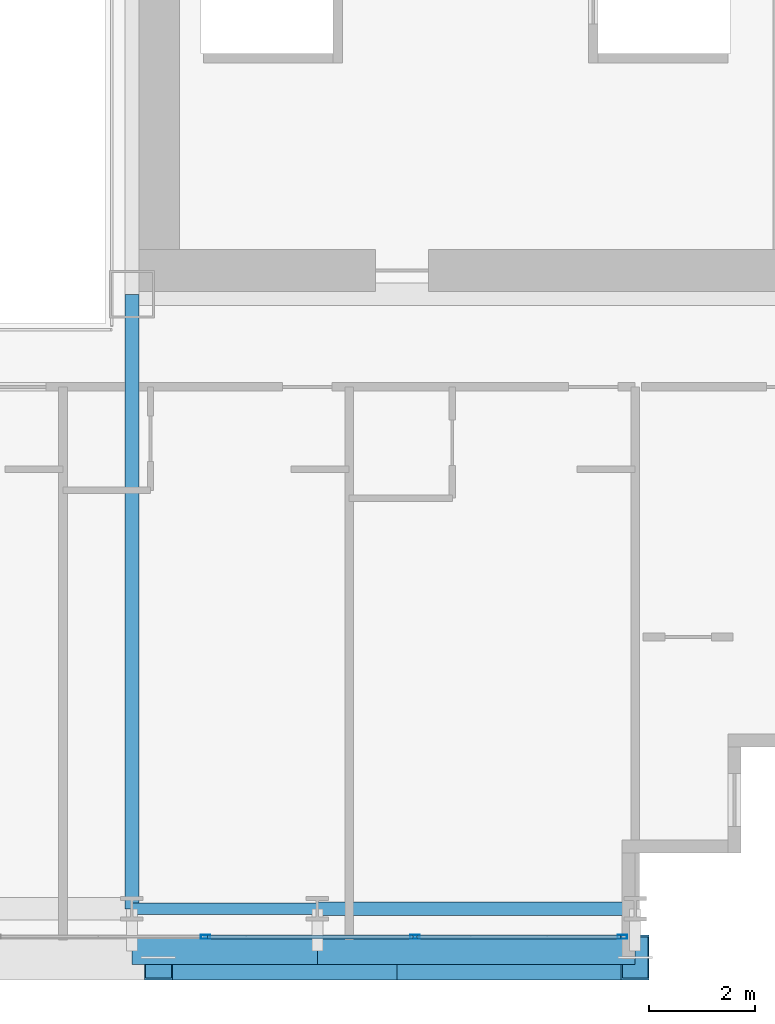
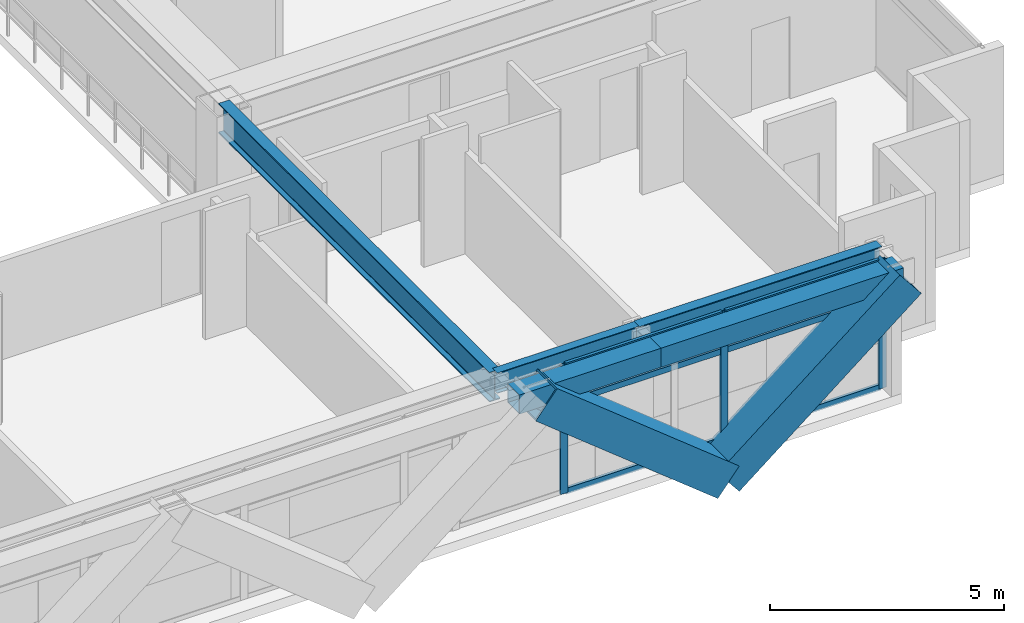
# One storey, part 10 of 38: 11 members, 5 beams, 1 element without a shape of its own.
"""IFC4 building model written with IfcOpenShell, lengths in metres."""

from ifc_helpers import new_model, si_unit, direction, frame, origin, origin_2d, place, context, subcontext, project, spatial, hollow_rectangle, i_section, extrude, source, transform, mapped, material, layer, layer_set, material_profile, profile_set, type_object, element, aggregate, save


model = new_model("IFC4")

# Units and contexts
model_context = context("Model", 3, precision=1e-05, world=origin(), true_north=direction((0.0, 1.0)))
body_context = subcontext(model_context, "Body", "Model", "MODEL_VIEW")
ifc_project = project(units=[si_unit("LENGTHUNIT", "METRE"), si_unit("AREAUNIT", "SQUARE_METRE"), si_unit("VOLUMEUNIT", "CUBIC_METRE"), si_unit("PLANEANGLEUNIT", "RADIAN"), si_unit("MASSUNIT", "GRAM", prefix="KILO")], contexts=[model_context])

# Site, building, storey
site_placement = place(None, origin())
site = spatial("IfcSite", under=ifc_project, at=site_placement, CompositionType="ELEMENT")
building_placement = place(site_placement, origin())
building = spatial("IfcBuilding", under=site, at=building_placement, Name="Ocotamira Hotel", CompositionType="ELEMENT")
storey_placement = place(building_placement, frame((0.0, 0.0, 60.0)))
storey = spatial("IfcBuildingStorey", under=building, at=storey_placement, Name="L14", CompositionType="ELEMENT", Elevation=60.0)

# Beams
ifc_material_1 = material(Name="Steel ASTM A992 Grade 50", Category="steel")
ifc_material_profile_1 = material_profile(ifc_material_1, i_section(OverallWidth=0.256103515625, OverallDepth=0.693115234375, WebThickness=0.014404296875, FlangeThickness=0.023681640625, FilletRadius=0.01611328125, at=origin_2d()), Name="W27X114")
ifc_profile_set_1 = profile_set([ifc_material_profile_1], Name="Steel ASTM A992 Grade 50")
beam_type_1 = type_object("IfcBeamType", Name="BM-PRIM-W27X114", PredefinedType="BEAM", material=ifc_profile_set_1)
shared_shape_1 = source(origin(), body_context, "Body", "SweptSolid", [
    extrude(i_section(OverallWidth=0.256103515625, OverallDepth=0.693115234375, WebThickness=0.014404296875, FlangeThickness=0.023681640625, FilletRadius=0.01611328125, at=origin_2d()), origin(), (0.0, 0.0, 1.0), 6.0),
])
beam_1_placement = place(storey_placement, frame((44.0, 2.949951171875, 3.00341796875), z_axis=(1.0, 0.0, 0.0), x_axis=(0.0, 1.0, 0.0)))
element("IfcBeam", 1, at=beam_1_placement, inside=storey, type_object=beam_type_1, Name="L14 Girder Y2.95 X44-50", PredefinedType="BEAM", context=body_context, shape_type="MappedRepresentation", body=[
    mapped(shared_shape_1, transform((0.0, 0.0, 0.0), scale=1.0)),
])
ifc_material_profile_2 = material_profile(ifc_material_1, i_section(OverallWidth=0.2099609375, OverallDepth=0.537109375, WebThickness=0.010986328125, FlangeThickness=0.017333984375, FilletRadius=0.012939453125, at=origin_2d()), Name="W21X68")
ifc_profile_set_2 = profile_set([ifc_material_profile_2], Name="Steel ASTM A992 Grade 50")
beam_type_2 = type_object("IfcBeamType", Name="BM-SEC-W21X68", PredefinedType="JOIST", material=ifc_profile_set_2)
shared_shape_2 = source(origin(), body_context, "Body", "SweptSolid", [
    extrude(i_section(OverallWidth=0.2099609375, OverallDepth=0.537109375, WebThickness=0.010986328125, FlangeThickness=0.017333984375, FilletRadius=0.012939453125, at=origin_2d()), origin(), (0.0, 0.0, 1.0), 3.5),
])
beam_2_placement = place(storey_placement, frame((40.5, 2.949951171875, 3.08154296875), z_axis=(1.0, 0.0, 0.0), x_axis=(0.0, 1.0, 0.0)))
element("IfcBeam", 2, at=beam_2_placement, inside=storey, type_object=beam_type_2, Name="L14 Girder Y2.95 X40.5-44", PredefinedType="JOIST", context=body_context, shape_type="MappedRepresentation", body=[
    mapped(shared_shape_2, transform((0.0, 0.0, 0.0), scale=1.0)),
])
ifc_material_profile_3 = material_profile(ifc_material_1, i_section(OverallWidth=0.26611328125, OverallDepth=0.779052734375, WebThickness=0.0166015625, FlangeThickness=0.030029296875, FilletRadius=0.01806640625, at=origin_2d()), Name="W30X148")
ifc_profile_set_3 = profile_set([ifc_material_profile_3], Name="Steel ASTM A992 Grade 50")
beam_type_3 = type_object("IfcBeamType", Name="BM-GIRD-W30X148", PredefinedType="BEAM", material=ifc_profile_set_3)
shared_shape_3 = source(origin(), body_context, "Body", "SweptSolid", [
    extrude(i_section(OverallWidth=0.26611328125, OverallDepth=0.779052734375, WebThickness=0.0166015625, FlangeThickness=0.030029296875, FilletRadius=0.01806640625, at=origin_2d()), origin(), (0.0, 0.0, 1.0), 11.60009765625),
])
beam_3_placement = place(storey_placement, frame((40.5, 2.949951171875, 2.96044921875), z_axis=(0.0, 1.0, 0.0), x_axis=(-1.0, 0.0, 0.0)))
element("IfcBeam", 3, at=beam_3_placement, inside=storey, type_object=beam_type_3, Name="L14 Beam X40.5 Y2.95-14.55", PredefinedType="BEAM", context=body_context, shape_type="MappedRepresentation", body=[
    mapped(shared_shape_3, transform((0.0, 0.0, 0.0), scale=1.0)),
])
ifc_material_2 = material(Name="Steel ASTM A500 Grade C", Category="steel")
ifc_material_profile_4 = material_profile(ifc_material_2, hollow_rectangle(XDim=0.5, YDim=0.5, WallThickness=0.02001953125, at=origin_2d()), Name="HSS500X500X20")
ifc_profile_set_4 = profile_set([ifc_material_profile_4], Name="Steel ASTM A500 Grade C")
beam_type_4 = type_object("IfcBeamType", Name="BM-SPAN-HSS500", PredefinedType="USERDEFINED", material=ifc_profile_set_4)
shared_shape_4 = source(origin(), body_context, "Body", "SweptSolid", [
    extrude(hollow_rectangle(XDim=0.5, YDim=0.5, WallThickness=0.02001953125, at=origin_2d()), origin(), (0.0, 0.0, 1.0), 6.0),
])
beam_4_placement = place(storey_placement, frame((44.0, 2.14990234375, 3.10009765625), z_axis=(1.0, 0.0, 0.0), x_axis=(0.0, 1.0, 0.0)))
element("IfcBeam", 4, at=beam_4_placement, inside=storey, type_object=beam_type_4, Name="L14 Edge Spandrel S X44-50", ObjectType="SPANDREL", PredefinedType="USERDEFINED", context=body_context, shape_type="MappedRepresentation", body=[
    mapped(shared_shape_4, transform((0.0, 0.0, 0.0), scale=1.0)),
])
shared_shape_5 = source(origin(), body_context, "Body", "SweptSolid", [
    extrude(hollow_rectangle(XDim=0.5, YDim=0.5, WallThickness=0.02001953125, at=origin_2d()), origin(), (0.0, 0.0, 1.0), 3.5),
])
beam_5_placement = place(storey_placement, frame((40.5, 2.14990234375, 3.10009765625), z_axis=(1.0, 0.0, 0.0), x_axis=(0.0, 1.0, 0.0)))
element("IfcBeam", 5, at=beam_5_placement, inside=storey, type_object=beam_type_4, Name="L14 Edge Spandrel S X40.5-44", ObjectType="SPANDREL", PredefinedType="USERDEFINED", context=body_context, shape_type="MappedRepresentation", body=[
    mapped(shared_shape_5, transform((0.0, 0.0, 0.0), scale=1.0)),
])

# Members
ifc_material_3 = material(Name="Pale-metal coated steel ASTM A913 Grade 65", Category="steel")
ifc_material_profile_5 = material_profile(ifc_material_3, hollow_rectangle(XDim=0.85009765625, YDim=0.85009765625, WallThickness=0.035888671875, at=origin_2d()), Name="BOX850X850X36")
ifc_profile_set_5 = profile_set([ifc_material_profile_5], Name="Pale-metal coated steel ASTM A913 Grade 65")
member_type_1 = type_object("IfcMemberType", Name="MEM-EXO-BOX850", PredefinedType="BRACE", material=ifc_profile_set_5)
shared_shape_6 = source(origin(), body_context, "Body", "SweptSolid", [
    extrude(hollow_rectangle(XDim=0.85009765625, YDim=0.85009765625, WallThickness=0.035888671875, at=origin_2d()), origin(), (0.0, 0.0, 1.0), 5.762939453125),
])
for number, where, z_axis, x_axis, name in (
    (6, (45.5, 2.030029296875, -0.5), (-0.780860543151, 0.0, 0.624705380279), (0.0, -1.0, 0.0), "L14 Exoskeleton Diagrid S3.1"),
    (7, (45.5, 2.030029296875, -0.5), (0.780860543151, 0.0, 0.624705380279), (0.0, 1.0, 0.0), "L14 Exoskeleton Diagrid S3.2"),
):
    element("IfcMember", number, at=place(storey_placement, frame(where, z_axis=z_axis, x_axis=x_axis)), inside=storey, type_object=member_type_1, Name=name, PredefinedType="BRACE", context=body_context, shape_type="MappedRepresentation", body=[
        mapped(shared_shape_6, transform((0.0, 0.0, 0.0), scale=1.0)),
    ])

# Curtain wall, members
ifc_material_4 = material(Name="Anodised pale-metal aluminium and solar glass", Category="aluminium")
ifc_layer = layer(ifc_material_4, 0.179931640625)
ifc_layer_set = layer_set([ifc_layer], Name="Anodised pale-metal aluminium and solar glass")
curtain_wall_type = type_object("IfcCurtainWallType", Name="CW-SYS2-Z1", PredefinedType="NOTDEFINED", material=ifc_layer_set)
curtain_wall_placement = place(storey_placement, origin())
curtain_wall = element("IfcCurtainWall", 8, at=curtain_wall_placement, inside=storey, type_object=curtain_wall_type, Name="L14 Curtain Wall CW-2 CW-L14-S1", PredefinedType="NOTDEFINED")
ifc_material_5 = material(Name="Anodised pale-metal aluminium 6063-T6", Category="aluminium")
ifc_material_profile_6 = material_profile(ifc_material_5, hollow_rectangle(XDim=0.074951171875, YDim=0.14990234375, WallThickness=0.006103515625, at=origin_2d()), Name="HSS150X75X6")
ifc_profile_set_6 = profile_set([ifc_material_profile_6], Name="Anodised pale-metal aluminium 6063-T6")
member_type_2 = type_object("IfcMemberType", Name="CWT-150X75", PredefinedType="USERDEFINED", material=ifc_profile_set_6)
shared_shape_7 = source(origin(), body_context, "Body", "SweptSolid", [
    extrude(hollow_rectangle(XDim=0.074951171875, YDim=0.14990234375, WallThickness=0.006103515625, at=origin_2d()), origin(), (0.0, 0.0, 1.0), 3.83544921875),
])
member_1_placement = place(storey_placement, frame((45.884521484375, 2.419921875, 0.03759765625), z_axis=(1.0, 0.0, 0.0), x_axis=(0.0, 1.0, 0.0)))
member_1 = element("IfcMember", 9, at=member_1_placement, type_object=member_type_2, Name="CW-2 transom 9.1", ObjectType="TRANSOM", PredefinedType="USERDEFINED", context=body_context, shape_type="MappedRepresentation", body=[
    mapped(shared_shape_7, transform((0.0, 0.0, 0.0), scale=1.0)),
])
member_2_placement = place(storey_placement, frame((45.884521484375, 2.419921875, 2.35009765625), z_axis=(1.0, 0.0, 0.0), x_axis=(0.0, 1.0, 0.0)))
member_2 = element("IfcMember", 10, at=member_2_placement, type_object=member_type_2, Name="CW-2 transom 9.2", ObjectType="TRANSOM", PredefinedType="USERDEFINED", context=body_context, shape_type="MappedRepresentation", body=[
    mapped(shared_shape_7, transform((0.0, 0.0, 0.0), scale=1.0)),
])
member_3_placement = place(storey_placement, frame((45.884521484375, 2.419921875, 3.3125), z_axis=(1.0, 0.0, 0.0), x_axis=(0.0, 1.0, 0.0)))
member_3 = element("IfcMember", 11, at=member_3_placement, type_object=member_type_2, Name="CW-2 transom 9.3", ObjectType="TRANSOM", PredefinedType="USERDEFINED", context=body_context, shape_type="MappedRepresentation", body=[
    mapped(shared_shape_7, transform((0.0, 0.0, 0.0), scale=1.0)),
])
shared_shape_8 = source(origin(), body_context, "Body", "SweptSolid", [
    extrude(hollow_rectangle(XDim=0.074951171875, YDim=0.14990234375, WallThickness=0.006103515625, at=origin_2d()), origin(), (0.0, 0.0, 1.0), 3.87548828125),
])
member_4_placement = place(storey_placement, frame((41.928955078125, 2.419921875, 0.03759765625), z_axis=(1.0, 0.0, 0.0), x_axis=(0.0, 1.0, 0.0)))
member_4 = element("IfcMember", 12, at=member_4_placement, type_object=member_type_2, Name="CW-2 transom 8.1", ObjectType="TRANSOM", PredefinedType="USERDEFINED", context=body_context, shape_type="MappedRepresentation", body=[
    mapped(shared_shape_8, transform((0.0, 0.0, 0.0), scale=1.0)),
])
member_5_placement = place(storey_placement, frame((41.928955078125, 2.419921875, 2.35009765625), z_axis=(1.0, 0.0, 0.0), x_axis=(0.0, 1.0, 0.0)))
member_5 = element("IfcMember", 13, at=member_5_placement, type_object=member_type_2, Name="CW-2 transom 8.2", ObjectType="TRANSOM", PredefinedType="USERDEFINED", context=body_context, shape_type="MappedRepresentation", body=[
    mapped(shared_shape_8, transform((0.0, 0.0, 0.0), scale=1.0)),
])
member_6_placement = place(storey_placement, frame((41.928955078125, 2.419921875, 3.3125), z_axis=(1.0, 0.0, 0.0), x_axis=(0.0, 1.0, 0.0)))
member_6 = element("IfcMember", 14, at=member_6_placement, type_object=member_type_2, Name="CW-2 transom 8.3", ObjectType="TRANSOM", PredefinedType="USERDEFINED", context=body_context, shape_type="MappedRepresentation", body=[
    mapped(shared_shape_8, transform((0.0, 0.0, 0.0), scale=1.0)),
])
ifc_material_profile_7 = material_profile(ifc_material_5, hollow_rectangle(XDim=0.080078125, YDim=0.179931640625, WallThickness=0.006103515625, at=origin_2d()), Name="HSS180X80X6")
ifc_profile_set_7 = profile_set([ifc_material_profile_7], Name="Anodised pale-metal aluminium 6063-T6")
member_type_3 = type_object("IfcMemberType", Name="CWM-180X75", PredefinedType="MULLION", material=ifc_profile_set_7)
shared_shape_9 = source(origin(), body_context, "Body", "SweptSolid", [
    extrude(hollow_rectangle(XDim=0.080078125, YDim=0.179931640625, WallThickness=0.006103515625, at=origin_2d()), origin(), (0.0, 0.0, 1.0), 3.35009765625),
])
member_7_placement = place(storey_placement, frame((41.888916015625, 2.419921875, 0.0), z_axis=(0.0, 0.0, 1.0), x_axis=(0.0, 1.0, 0.0)))
member_7 = element("IfcMember", 15, at=member_7_placement, type_object=member_type_3, Name="CW-2 mullion 8", PredefinedType="MULLION", context=body_context, shape_type="MappedRepresentation", body=[
    mapped(shared_shape_9, transform((0.0, 0.0, 0.0), scale=1.0)),
])
member_8_placement = place(storey_placement, frame((45.844482421875, 2.419921875, 0.0), z_axis=(0.0, 0.0, 1.0), x_axis=(0.0, 1.0, 0.0)))
member_8 = element("IfcMember", 16, at=member_8_placement, type_object=member_type_3, Name="CW-2 mullion 9", PredefinedType="MULLION", context=body_context, shape_type="MappedRepresentation", body=[
    mapped(shared_shape_9, transform((0.0, 0.0, 0.0), scale=1.0)),
])
member_9_placement = place(storey_placement, frame((49.760009765625, 2.419921875, 0.0), z_axis=(0.0, 0.0, 1.0), x_axis=(0.0, 1.0, 0.0)))
member_9 = element("IfcMember", 17, at=member_9_placement, type_object=member_type_3, Name="CW-2 mullion 10", PredefinedType="MULLION", context=body_context, shape_type="MappedRepresentation", body=[
    mapped(shared_shape_9, transform((0.0, 0.0, 0.0), scale=1.0)),
])
aggregate(curtain_wall, [member_7, member_8, member_9, member_4, member_5, member_6, member_1, member_2, member_3])

save(model, "model.ifc")
